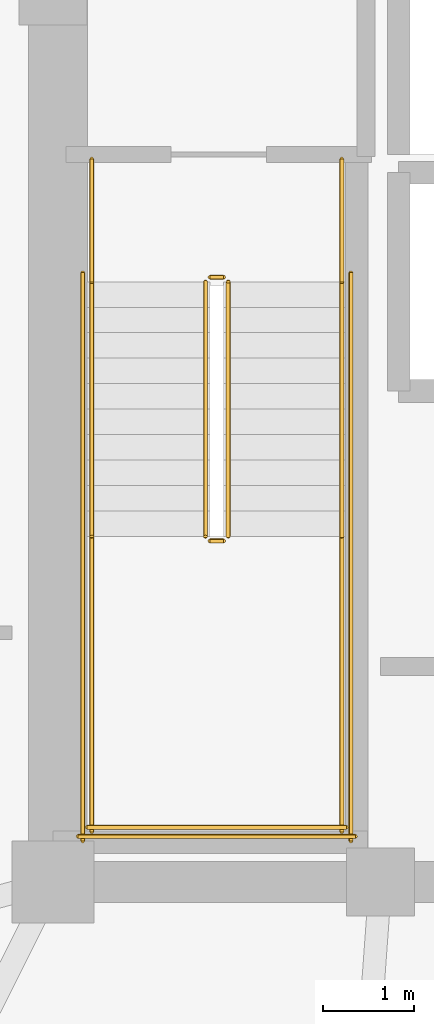
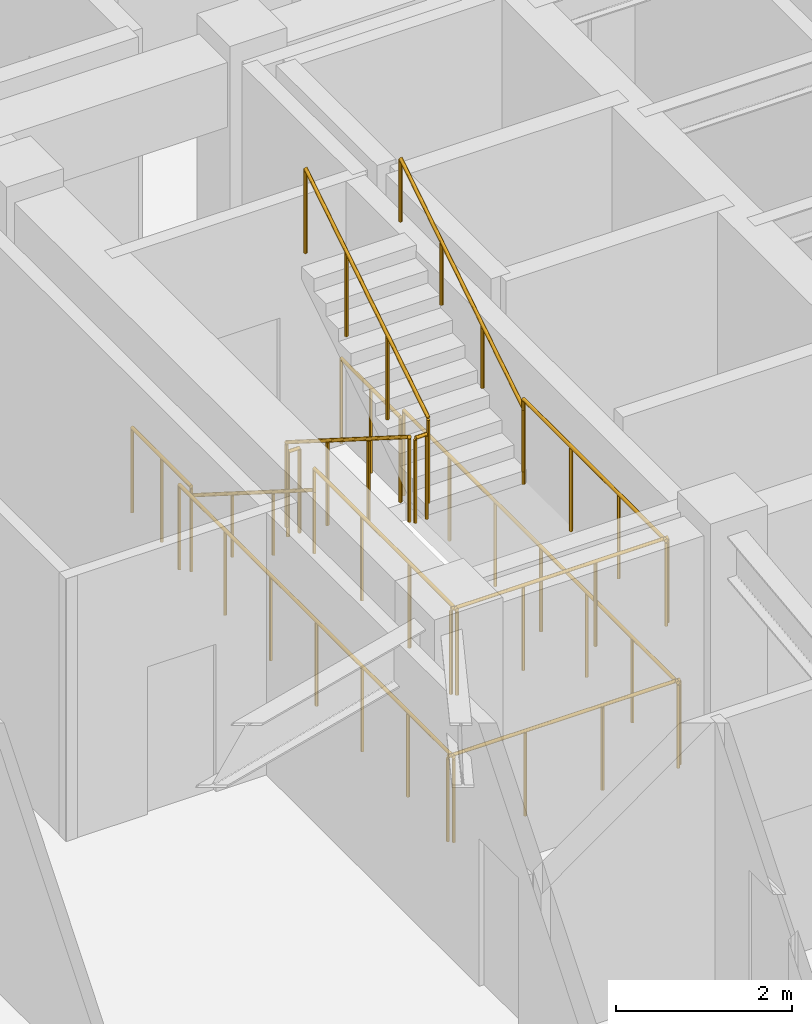
# One storey, part 10 of 11: 14 railings.
"""IFC4 building model written with IfcOpenShell, lengths in metres."""

import ifcopenshell
import ifcopenshell.guid

model = None  # the IFC model being written
_history = None  # IfcOwnerHistory: only IFC2X3 demands one
_inside = {}  # id of a spatial element -> (the spatial element, [elements in it])
_under = {}  # id of a project, library or spatial element -> (it, [spatial elements below it])
_declared = {}  # id of a project -> (the project, [libraries it declares])
_typed = {}  # id of a type object -> (the type object, [elements of that type])
_made_of = {}  # id of a material, layer set ... -> (it, [elements and type objects made of it])


def new_model(schema):
    """Start an empty IFC model of exactly this schema.

    Asked for "IFC4X3", IfcOpenShell would pick the latest addendum, in which some entities
    have other attributes; the version numbers below select the first issue.
    IFC2X3 requires an IfcOwnerHistory on every rooted entity: one is made here for all.
    """
    global model, _history
    if schema == "IFC4X3":
        model = ifcopenshell.file(schema_version=(4, 3, 0, 0))
    else:
        model = ifcopenshell.file(schema=schema)
    _inside.clear()
    _under.clear()
    _declared.clear()
    _typed.clear()
    _made_of.clear()
    _history = None
    if model.schema == "IFC2X3":
        org = make("IfcOrganization", Name="unknown")
        user = make(
            "IfcPersonAndOrganization",
            ThePerson=make("IfcPerson", FamilyName="unknown"),
            TheOrganization=org,
        )
        app = make(
            "IfcApplication",
            ApplicationDeveloper=org,
            Version="unknown",
            ApplicationFullName="unknown",
            ApplicationIdentifier="unknown",
        )
        _history = make(
            "IfcOwnerHistory",
            OwningUser=user,
            OwningApplication=app,
            ChangeAction="ADDED",
            CreationDate=0,
        )
    return model


def make(cls, **values):
    """One entity of the class cls with the attributes given. An attribute that is None is left unset."""
    return model.create_entity(
        cls, **{name: value for name, value in values.items() if value is not None}
    )


def rooted(cls, **values):
    """An entity with a GlobalId (a new one), such as an element, a storey or a relation."""
    return make(cls, GlobalId=ifcopenshell.guid.new(), OwnerHistory=_history, **values)


def si_unit(unit_type, name, prefix=None):
    """IfcSIUnit, for example si_unit("LENGTHUNIT", "METRE", prefix="MILLI")."""
    return make("IfcSIUnit", UnitType=unit_type, Prefix=prefix, Name=name)


def assignment(units):
    """IfcUnitAssignment: the units of a project."""
    return None if units is None else make("IfcUnitAssignment", Units=units)


def point(xyz):
    """IfcCartesianPoint."""
    return None if xyz is None else make("IfcCartesianPoint", Coordinates=xyz)


def direction(xyz):
    """IfcDirection."""
    return None if xyz is None else make("IfcDirection", DirectionRatios=xyz)


def frame(location, z_axis=None, x_axis=None):
    """IfcAxis2Placement3D, a coordinate frame: its origin and axes. An axis left out is left unset."""
    return make(
        "IfcAxis2Placement3D",
        Location=point(location),
        Axis=direction(z_axis),
        RefDirection=direction(x_axis),
    )


def frame_2d(location, x_axis=None):
    """IfcAxis2Placement2D, a coordinate frame in the plane: its origin and x axis."""
    return make(
        "IfcAxis2Placement2D", Location=point(location), RefDirection=direction(x_axis)
    )


def origin():
    """The frame at (0, 0, 0) with its axes left unset."""
    return frame((0.0, 0.0, 0.0))


def origin_2d():
    """The frame at (0, 0) in the plane with its x axis left unset."""
    return frame_2d((0.0, 0.0))


def place(relative_to, where):
    """IfcLocalPlacement: puts the frame where relative to a parent placement (None: the world)."""
    return make(
        "IfcLocalPlacement", PlacementRelTo=relative_to, RelativePlacement=where
    )


def context(
    kind, dimensions, precision=None, world=None, true_north=None, identifier=None
):
    """IfcGeometricRepresentationContext, for example the 3D "Model" context."""
    return make(
        "IfcGeometricRepresentationContext",
        ContextIdentifier=identifier,
        ContextType=kind,
        CoordinateSpaceDimension=dimensions,
        Precision=precision,
        WorldCoordinateSystem=world,
        TrueNorth=true_north,
    )


def subcontext(parent, identifier, kind, view, scale=None):
    """IfcGeometricRepresentationSubContext, for example "Body" below "Model"."""
    return make(
        "IfcGeometricRepresentationSubContext",
        ContextIdentifier=identifier,
        ContextType=kind,
        ParentContext=parent,
        TargetScale=scale,
        TargetView=view,
    )


def project(units=None, contexts=None):
    """IfcProject with its units and contexts."""
    return rooted(
        "IfcProject",
        Name="project",
        RepresentationContexts=contexts,
        UnitsInContext=assignment(units),
    )


def spatial(cls, under=None, at=None, **own):
    """A site, building, storey or space (cls), placed at a placement, below another one or the project."""
    s = rooted(cls, ObjectPlacement=at, **own)
    if under is not None:
        _under.setdefault(under.id(), (under, []))[1].append(s)
    return s


def profile(cls, at=None, kind="AREA", **sizes):
    """A parametric profile (cls). Its sizes go by their IFC names, for example OverallWidth=200.0."""
    return make(cls, ProfileType=kind, Position=at, **sizes)


def circle(**sizes):
    """IfcCircleProfileDef."""
    return profile("IfcCircleProfileDef", **sizes)


def extrude(swept, where, along, depth):
    """IfcExtrudedAreaSolid: the profile swept, set in the frame where, extruded along a direction by depth."""
    return make(
        "IfcExtrudedAreaSolid",
        SweptArea=swept,
        Position=where,
        ExtrudedDirection=direction(along),
        Depth=depth,
    )


def shape(context_of_items, identifier, shape_type, items):
    """IfcShapeRepresentation: the items that make up one representation, for example the "Body"."""
    return make(
        "IfcShapeRepresentation",
        ContextOfItems=context_of_items,
        RepresentationIdentifier=identifier,
        RepresentationType=shape_type,
        Items=items,
    )


def material(Name=None, Category=None):
    """IfcMaterial."""
    return make("IfcMaterial", Name=Name, Category=Category)


def made_of(thing, what):
    """Note that an element or type object is made of a material, layer set ...; save() writes the relation."""
    if what is not None:
        _made_of.setdefault(what.id(), (what, []))[1].append(thing)
    return thing


def type_object(cls, material=None, **own):
    """A type object (cls), such as IfcWallType, which elements share."""
    return made_of(rooted(cls, **own), material)


def element(
    cls,
    number,
    at=None,
    inside=None,
    cuts=None,
    type_object=None,
    material=None,
    context=None,
    identifier="Body",
    shape_type=None,
    held_by="IfcProductDefinitionShape",
    body=None,
    shapes=None,
    **own,
):
    """One element of the class cls, such as IfcWall. Its Tag is "e" and its number.

    at: its placement. inside: the storey or other place that contains it. cuts: it is an
    opening in that element (IfcRelVoidsElement). A single representation is given by context,
    identifier, shape_type and body (its items); several are given by shapes. held_by: the class
    of the entity that holds the representations. save() writes the other relations.
    """
    e = rooted(cls, Tag="e%d" % number, ObjectPlacement=at, **own)
    if body is not None:
        shapes = [shape(context, identifier, shape_type, body)]
    if shapes is not None:
        e.Representation = make(held_by, Representations=shapes)
    if inside is not None:
        _inside.setdefault(inside.id(), (inside, []))[1].append(e)
    if cuts is not None:
        rooted(
            "IfcRelVoidsElement", RelatingBuildingElement=cuts, RelatedOpeningElement=e
        )
    if type_object is not None:
        _typed.setdefault(type_object.id(), (type_object, []))[1].append(e)
    return made_of(e, material)


def aggregate(whole, parts):
    """IfcRelAggregates: a whole, such as a stair, and the parts it consists of."""
    return rooted("IfcRelAggregates", RelatingObject=whole, RelatedObjects=parts)


def save(model, path):
    """Write the relations noted so far, then the file.

    IfcRelAggregates (storeys below a building ...), IfcRelContainedInSpatialStructure (elements
    in a storey), IfcRelDefinesByType, IfcRelAssociatesMaterial and IfcRelDeclares: one each for
    every whole, place, type object, material and project.
    """
    for whole, parts in _under.values():
        aggregate(whole, parts)
    for where, things in _inside.values():
        rooted(
            "IfcRelContainedInSpatialStructure",
            RelatedElements=things,
            RelatingStructure=where,
        )
    for kind, things in _typed.values():
        rooted("IfcRelDefinesByType", RelatedObjects=things, RelatingType=kind)
    for what, things in _made_of.values():
        rooted("IfcRelAssociatesMaterial", RelatedObjects=things, RelatingMaterial=what)
    for by, libraries in _declared.values():
        rooted("IfcRelDeclares", RelatingContext=by, RelatedDefinitions=libraries)
    model.write(path)


model = new_model("IFC4")

# Units and contexts
model_context = context("Model", 3, precision=1e-05, world=origin(), true_north=direction((0.0, 1.0)))
body_context = subcontext(model_context, "Body", "Model", "MODEL_VIEW")
ifc_project = project(units=[si_unit("LENGTHUNIT", "METRE"), si_unit("AREAUNIT", "SQUARE_METRE"), si_unit("VOLUMEUNIT", "CUBIC_METRE"), si_unit("PLANEANGLEUNIT", "RADIAN"), si_unit("MASSUNIT", "GRAM", prefix="KILO")], contexts=[model_context])

# Site, building, storey
site_placement = place(None, origin())
site = spatial("IfcSite", under=ifc_project, at=site_placement, CompositionType="ELEMENT")
building_placement = place(site_placement, origin())
building = spatial("IfcBuilding", under=site, at=building_placement, Name="Voryun Gate Residences", CompositionType="ELEMENT")
storey_placement = place(building_placement, frame((0.0, 0.0, 175.5)))
storey = spatial("IfcBuildingStorey", under=building, at=storey_placement, Name="L43", CompositionType="ELEMENT", Elevation=175.5)

# Railings
ifc_material_1 = material(Name="Painted steel", Category="steel")
railing_type_1 = type_object("IfcRailingType", Name="RAIL_STAIR_GUARD_1200", PredefinedType="GUARDRAIL", material=ifc_material_1)
railing_1_placement = place(storey_placement, frame((-17.52490234375, -0.800048828125, 0.17724609375)))
element("IfcRailing", 1, at=railing_1_placement, inside=storey, type_object=railing_type_1, Name="L43 ST-W1 stair guard 1", PredefinedType="GUARDRAIL", context=body_context, shape_type="SweptSolid", body=[
    extrude(circle(Radius=0.02392578125, at=origin_2d()), frame((0.0, 0.0, 1.17578125), z_axis=(0.0, -0.844908973607, 0.534910110503), x_axis=(1.0, 0.0, 0.0)), (0.0, 0.0, 1.0), 3.31396484375),
    extrude(circle(Radius=0.02099609375, at=origin_2d()), origin(), (0.0, 0.0, 1.0), 1.15185546875),
    extrude(circle(Radius=0.02099609375, at=origin_2d()), frame((0.0, -0.933349609375, 0.5908203125)), (0.0, 0.0, 1.0), 1.15185546875),
    extrude(circle(Radius=0.02099609375, at=origin_2d()), frame((0.0, -1.86669921875, 1.181884765625)), (0.0, 0.0, 1.0), 1.15185546875),
    extrude(circle(Radius=0.02099609375, at=origin_2d()), frame((0.0, -2.800048828125, 1.772705078125)), (0.0, 0.0, 1.0), 1.15185546875),
])
railing_2_placement = place(storey_placement, frame((-17.47509765625, -3.64990234375, 1.949951171875)))
element("IfcRailing", 2, at=railing_2_placement, inside=storey, type_object=railing_type_1, Name="L43 ST-W1 stair guard 2", PredefinedType="GUARDRAIL", context=body_context, shape_type="SweptSolid", body=[
    extrude(circle(Radius=0.02392578125, at=origin_2d()), frame((0.0, 0.0, 1.17578125), z_axis=(1.0, 0.0, 0.0), x_axis=(0.0, 1.0, 0.0)), (0.0, 0.0, 1.0), 0.150146484375),
    extrude(circle(Radius=0.02099609375, at=origin_2d()), origin(), (0.0, 0.0, 1.0), 1.15185546875),
    extrude(circle(Radius=0.02099609375, at=origin_2d()), frame((0.150146484375, 0.0, 0.0)), (0.0, 0.0, 1.0), 1.15185546875),
])
for number, where, name in (
    (3, (-18.77490234375, -3.60009765625, 1.949951171875), "L43 ST-W1 stair guard 3"),
    (4, (-16.02490234375, -3.60009765625, 1.949951171875), "L43 ST-W1 stair guard 4"),
):
    element("IfcRailing", number, at=place(storey_placement, frame(where)), inside=storey, type_object=railing_type_1, Name=name, PredefinedType="GUARDRAIL", context=body_context, shape_type="SweptSolid", body=[
        extrude(circle(Radius=0.02392578125, at=origin_2d()), frame((0.0, 0.0, 1.17578125), z_axis=(0.0, -1.0, 0.0), x_axis=(1.0, 0.0, 0.0)), (0.0, 0.0, 1.0), 3.25),
        extrude(circle(Radius=0.02099609375, at=origin_2d()), origin(), (0.0, 0.0, 1.0), 1.15185546875),
        extrude(circle(Radius=0.02099609375, at=origin_2d()), frame((0.0, -1.083251953125, 0.0)), (0.0, 0.0, 1.0), 1.15185546875),
        extrude(circle(Radius=0.02099609375, at=origin_2d()), frame((0.0, -2.166748046875, 0.0)), (0.0, 0.0, 1.0), 1.15185546875),
        extrude(circle(Radius=0.02099609375, at=origin_2d()), frame((0.0, -3.25, 0.0)), (0.0, 0.0, 1.0), 1.15185546875),
    ])
railing_3_placement = place(storey_placement, frame((-18.824951171875, -6.800048828125, 1.949951171875)))
element("IfcRailing", 5, at=railing_3_placement, inside=storey, type_object=railing_type_1, Name="L43 ST-W1 stair guard 5", PredefinedType="GUARDRAIL", context=body_context, shape_type="SweptSolid", body=[
    extrude(circle(Radius=0.02392578125, at=origin_2d()), frame((0.0, 0.0, 1.17578125), z_axis=(1.0, 0.0, 0.0), x_axis=(0.0, 1.0, 0.0)), (0.0, 0.0, 1.0), 2.849853515625),
    extrude(circle(Radius=0.02099609375, at=origin_2d()), origin(), (0.0, 0.0, 1.0), 1.15185546875),
    extrude(circle(Radius=0.02099609375, at=origin_2d()), frame((0.949951171875, 0.0, 0.0)), (0.0, 0.0, 1.0), 1.15185546875),
    extrude(circle(Radius=0.02099609375, at=origin_2d()), frame((1.89990234375, 0.0, 0.0)), (0.0, 0.0, 1.0), 1.15185546875),
    extrude(circle(Radius=0.02099609375, at=origin_2d()), frame((2.849853515625, 0.0, 0.0)), (0.0, 0.0, 1.0), 1.15185546875),
])
railing_4_placement = place(storey_placement, frame((-17.27490234375, -3.60009765625, 2.127197265625)))
element("IfcRailing", 6, at=railing_4_placement, inside=storey, type_object=railing_type_1, Name="L43 ST-W1 stair guard 6", PredefinedType="GUARDRAIL", context=body_context, shape_type="SweptSolid", body=[
    extrude(circle(Radius=0.02392578125, at=origin_2d()), frame((0.0, 0.0, 1.17578125), z_axis=(0.0, 0.844908973607, 0.534910110503), x_axis=(-1.0, 0.0, 0.0)), (0.0, 0.0, 1.0), 3.31396484375),
    extrude(circle(Radius=0.02099609375, at=origin_2d()), origin(), (0.0, 0.0, 1.0), 1.15185546875),
    extrude(circle(Radius=0.02099609375, at=origin_2d()), frame((0.0, 0.933349609375, 0.5908203125)), (0.0, 0.0, 1.0), 1.15185546875),
    extrude(circle(Radius=0.02099609375, at=origin_2d()), frame((0.0, 1.86669921875, 1.181884765625)), (0.0, 0.0, 1.0), 1.15185546875),
    extrude(circle(Radius=0.02099609375, at=origin_2d()), frame((0.0, 2.800048828125, 1.772705078125)), (0.0, 0.0, 1.0), 1.15185546875),
])
railing_5_placement = place(storey_placement, frame((-17.47509765625, -0.75, 0.0)))
element("IfcRailing", 7, at=railing_5_placement, inside=storey, type_object=railing_type_1, Name="L43 ST-W1 stair guard 7", PredefinedType="GUARDRAIL", context=body_context, shape_type="SweptSolid", body=[
    extrude(circle(Radius=0.02392578125, at=origin_2d()), frame((0.0, 0.0, 1.17578125), z_axis=(1.0, 0.0, 0.0), x_axis=(0.0, 1.0, 0.0)), (0.0, 0.0, 1.0), 0.150146484375),
    extrude(circle(Radius=0.02099609375, at=origin_2d()), origin(), (0.0, 0.0, 1.0), 1.15185546875),
    extrude(circle(Radius=0.02099609375, at=origin_2d()), frame((0.150146484375, 0.0, 0.0)), (0.0, 0.0, 1.0), 1.15185546875),
])
for number, where, name in (
    (8, (-18.77490234375, 0.550048828125, 0.0), "L43 ST-W1 stair guard 8"),
    (9, (-16.02490234375, 0.550048828125, 0.0), "L43 ST-W1 stair guard 9"),
):
    element("IfcRailing", number, at=place(storey_placement, frame(where)), inside=storey, type_object=railing_type_1, Name=name, PredefinedType="GUARDRAIL", context=body_context, shape_type="SweptSolid", body=[
        extrude(circle(Radius=0.02392578125, at=origin_2d()), frame((0.0, 0.0, 1.17578125), z_axis=(0.0, -1.0, 0.0), x_axis=(1.0, 0.0, 0.0)), (0.0, 0.0, 1.0), 1.35009765625),
        extrude(circle(Radius=0.02099609375, at=origin_2d()), origin(), (0.0, 0.0, 1.0), 1.15185546875),
        extrude(circle(Radius=0.02099609375, at=origin_2d()), frame((0.0, -0.675048828125, 0.0)), (0.0, 0.0, 1.0), 1.15185546875),
        extrude(circle(Radius=0.02099609375, at=origin_2d()), frame((0.0, -1.35009765625, 0.0)), (0.0, 0.0, 1.0), 1.15185546875),
    ])
for number, where, name in (
    (10, (-18.875, -0.699951171875, 0.0), "L43 ST-W1 stair guard 10"),
    (11, (-15.925048828125, -0.699951171875, 0.0), "L43 ST-W1 stair guard 11"),
):
    element("IfcRailing", number, at=place(storey_placement, frame(where)), inside=storey, type_object=railing_type_1, Name=name, PredefinedType="GUARDRAIL", context=body_context, shape_type="SweptSolid", body=[
        extrude(circle(Radius=0.02392578125, at=origin_2d()), frame((0.0, 0.0, 1.17578125), z_axis=(0.0, -1.0, 0.0), x_axis=(1.0, 0.0, 0.0)), (0.0, 0.0, 1.0), 6.25),
        extrude(circle(Radius=0.02099609375, at=origin_2d()), origin(), (0.0, 0.0, 1.0), 1.15185546875),
        extrude(circle(Radius=0.02099609375, at=origin_2d()), frame((0.0, -1.041748046875, 0.0)), (0.0, 0.0, 1.0), 1.15185546875),
        extrude(circle(Radius=0.02099609375, at=origin_2d()), frame((0.0, -2.083251953125, 0.0)), (0.0, 0.0, 1.0), 1.15185546875),
        extrude(circle(Radius=0.02099609375, at=origin_2d()), frame((0.0, -3.125, 0.0)), (0.0, 0.0, 1.0), 1.15185546875),
        extrude(circle(Radius=0.02099609375, at=origin_2d()), frame((0.0, -4.166748046875, 0.0)), (0.0, 0.0, 1.0), 1.15185546875),
        extrude(circle(Radius=0.02099609375, at=origin_2d()), frame((0.0, -5.208251953125, 0.0)), (0.0, 0.0, 1.0), 1.15185546875),
        extrude(circle(Radius=0.02099609375, at=origin_2d()), frame((0.0, -6.25, 0.0)), (0.0, 0.0, 1.0), 1.15185546875),
    ])
railing_6_placement = place(storey_placement, frame((-18.925048828125, -6.89990234375, 0.0)))
element("IfcRailing", 12, at=railing_6_placement, inside=storey, type_object=railing_type_1, Name="L43 ST-W1 stair guard 12", PredefinedType="GUARDRAIL", context=body_context, shape_type="SweptSolid", body=[
    extrude(circle(Radius=0.02392578125, at=origin_2d()), frame((0.0, 0.0, 1.17578125), z_axis=(1.0, 0.0, 0.0), x_axis=(0.0, 1.0, 0.0)), (0.0, 0.0, 1.0), 3.050048828125),
    extrude(circle(Radius=0.02099609375, at=origin_2d()), origin(), (0.0, 0.0, 1.0), 1.15185546875),
    extrude(circle(Radius=0.02099609375, at=origin_2d()), frame((1.0166015625, 0.0, 0.0)), (0.0, 0.0, 1.0), 1.15185546875),
    extrude(circle(Radius=0.02099609375, at=origin_2d()), frame((2.033447265625, 0.0, 0.0)), (0.0, 0.0, 1.0), 1.15185546875),
    extrude(circle(Radius=0.02099609375, at=origin_2d()), frame((3.050048828125, 0.0, 0.0)), (0.0, 0.0, 1.0), 1.15185546875),
])
ifc_material_2 = material(Name="Painted steel", Category="steel")
railing_type_2 = type_object("IfcRailingType", Name="RAIL_STAIR_HANDRAIL_900", PredefinedType="HANDRAIL", material=ifc_material_2)
railing_7_placement = place(storey_placement, frame((-18.77490234375, -0.800048828125, 0.17724609375)))
element("IfcRailing", 13, at=railing_7_placement, inside=storey, type_object=railing_type_2, Name="L43 ST-W1 stair handrail 1", PredefinedType="HANDRAIL", context=body_context, shape_type="SweptSolid", body=[
    extrude(circle(Radius=0.02392578125, at=origin_2d()), frame((0.0, 0.0, 0.8759765625), z_axis=(0.0, -0.844908973607, 0.534910110503), x_axis=(1.0, 0.0, 0.0)), (0.0, 0.0, 1.0), 3.31396484375),
    extrude(circle(Radius=0.02099609375, at=origin_2d()), origin(), (0.0, 0.0, 1.0), 0.851806640625),
    extrude(circle(Radius=0.02099609375, at=origin_2d()), frame((0.0, -0.933349609375, 0.5908203125)), (0.0, 0.0, 1.0), 0.851806640625),
    extrude(circle(Radius=0.02099609375, at=origin_2d()), frame((0.0, -1.86669921875, 1.181884765625)), (0.0, 0.0, 1.0), 0.851806640625),
    extrude(circle(Radius=0.02099609375, at=origin_2d()), frame((0.0, -2.800048828125, 1.772705078125)), (0.0, 0.0, 1.0), 0.851806640625),
])
railing_8_placement = place(storey_placement, frame((-16.02490234375, -3.60009765625, 2.127197265625)))
element("IfcRailing", 14, at=railing_8_placement, inside=storey, type_object=railing_type_2, Name="L43 ST-W1 stair handrail 2", PredefinedType="HANDRAIL", context=body_context, shape_type="SweptSolid", body=[
    extrude(circle(Radius=0.02392578125, at=origin_2d()), frame((0.0, 0.0, 0.8759765625), z_axis=(0.0, 0.844908973607, 0.534910110503), x_axis=(-1.0, 0.0, 0.0)), (0.0, 0.0, 1.0), 3.31396484375),
    extrude(circle(Radius=0.02099609375, at=origin_2d()), origin(), (0.0, 0.0, 1.0), 0.851806640625),
    extrude(circle(Radius=0.02099609375, at=origin_2d()), frame((0.0, 0.933349609375, 0.5908203125)), (0.0, 0.0, 1.0), 0.851806640625),
    extrude(circle(Radius=0.02099609375, at=origin_2d()), frame((0.0, 1.86669921875, 1.181884765625)), (0.0, 0.0, 1.0), 0.851806640625),
    extrude(circle(Radius=0.02099609375, at=origin_2d()), frame((0.0, 2.800048828125, 1.772705078125)), (0.0, 0.0, 1.0), 0.851806640625),
])

save(model, "model.ifc")
